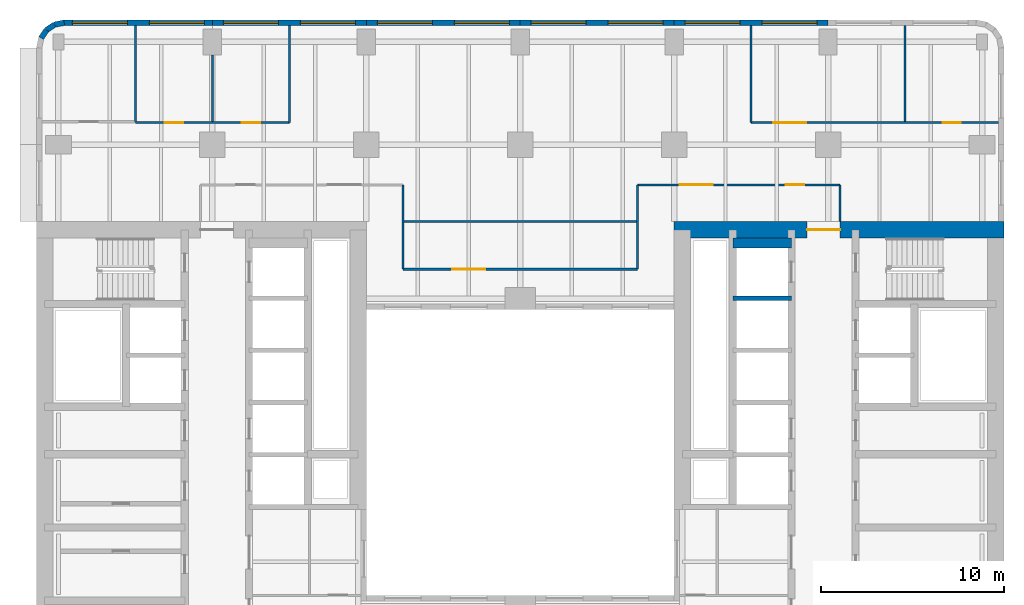
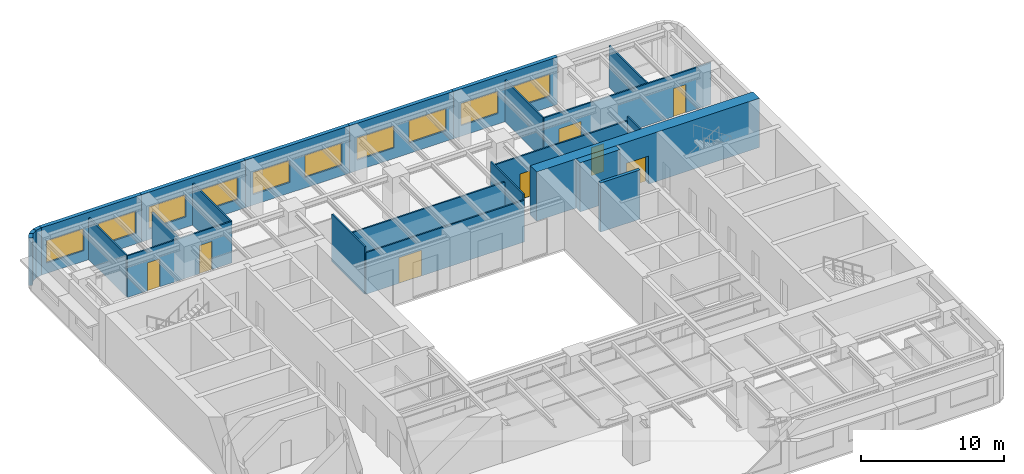
# One storey, part 7 of 11: 24 walls, 10 windows, 8 doors, 18 openings.
"""IFC4 building model written with IfcOpenShell, lengths in metres."""

from ifc_helpers import new_model, si_unit, direction, frame, frame_2d, origin, place, context, subcontext, project, spatial, rectangle, extrude, material, layer, layer_set, type_object, element, fill, save


model = new_model("IFC4")

# Units and contexts
model_context = context("Model", 3, precision=1e-05, world=origin(), true_north=direction((0.0, 1.0)))
body_context = subcontext(model_context, "Body", "Model", "MODEL_VIEW")
ifc_project = project(units=[si_unit("LENGTHUNIT", "METRE"), si_unit("AREAUNIT", "SQUARE_METRE"), si_unit("VOLUMEUNIT", "CUBIC_METRE"), si_unit("PLANEANGLEUNIT", "RADIAN"), si_unit("MASSUNIT", "GRAM", prefix="KILO")], contexts=[model_context])

# Site, building, storey
site_placement = place(None, origin())
site = spatial("IfcSite", under=ifc_project, at=site_placement, CompositionType="ELEMENT")
building_placement = place(site_placement, origin())
building = spatial("IfcBuilding", under=site, at=building_placement, Name="Claustro Exchange Tower", CompositionType="ELEMENT")
storey_placement = place(building_placement, frame((0.0, 0.0, 105.0)))
storey = spatial("IfcBuildingStorey", under=building, at=storey_placement, Name="L23", CompositionType="ELEMENT", Elevation=105.0)

# Wall, openings, doors
ifc_material_1 = material(Name="Laminated glass in aluminium frame", Category="aluminium")
ifc_layer_1 = layer(ifc_material_1, 0.1201171875)
ifc_layer_set_1 = layer_set([ifc_layer_1], Name="Laminated glass in aluminium frame")
wall_type_1 = type_object("IfcWallType", Name="P2 120 glazed partition", PredefinedType="PARTITIONING", material=ifc_layer_set_1)
wall_1_placement = place(storey_placement, frame((4.197998046875, 43.199951171875, 0.0), z_axis=(0.0, 0.0, 1.0), x_axis=(1.0, 0.0, 0.0)))
wall_1 = element("IfcWall", 1, at=wall_1_placement, inside=storey, type_object=wall_type_1, Name="Partition P2 L23", PredefinedType="PARTITIONING", context=body_context, shape_type="SweptSolid", body=[
    extrude(rectangle(XDim=8.402099609375, YDim=0.1201171875, at=frame_2d((4.201171875, 0.0))), origin(), (0.0, 0.0, 1.0), 3.550048828125),
])
opening_1_placement = place(wall_1_placement, frame((1.60205078125, 0.0, 0.0)))
opening_1 = element("IfcOpeningElement", 2, at=opening_1_placement, cuts=wall_1, Name="Opening D7", PredefinedType="OPENING", context=body_context, shape_type="SweptSolid", body=[
    extrude(rectangle(XDim=1.0, YDim=2.39990234375, at=frame_2d((0.5, 1.199951171875))), frame((0.0, 0.070068359375, 0.0), z_axis=(0.0, -1.0, 0.0), x_axis=(1.0, 0.0, 0.0)), (0.0, 0.0, 1.0), 0.14013671875),
])
opening_2_placement = place(wall_1_placement, frame((5.802001953125, 0.0, 0.0)))
opening_2 = element("IfcOpeningElement", 3, at=opening_2_placement, cuts=wall_1, Name="Opening D7", PredefinedType="OPENING", context=body_context, shape_type="SweptSolid", body=[
    extrude(rectangle(XDim=1.0, YDim=2.39990234375, at=frame_2d((0.5, 1.199951171875))), frame((0.0, 0.070068359375, 0.0), z_axis=(0.0, -1.0, 0.0), x_axis=(1.0, 0.0, 0.0)), (0.0, 0.0, 1.0), 0.14013671875),
])
ifc_material_2 = material(Name="Glass door in aluminium frame", Category="aluminium")
door_type_1 = type_object("IfcDoorType", Name="D7 1000 x 2400 glazed door", OperationType="SINGLE_SWING_LEFT", PredefinedType="DOOR", material=ifc_material_2)
door_1_placement = place(opening_1_placement, origin())
door_1 = element("IfcDoor", 4, at=door_1_placement, inside=storey, type_object=door_type_1, Name="Door D7 L23", OperationType="SINGLE_SWING_RIGHT", OverallHeight=2.39990234375, OverallWidth=1.0, PredefinedType="DOOR", context=body_context, shape_type="SweptSolid", body=[
    extrude(rectangle(XDim=1.0, YDim=2.39990234375, at=frame_2d((0.5, 1.199951171875))), frame((0.0, 0.02490234375, 0.0), z_axis=(0.0, -1.0, 0.0), x_axis=(1.0, 0.0, 0.0)), (0.0, 0.0, 1.0), 0.050048828125),
])
fill(opening_1, door_1)
door_2_placement = place(opening_2_placement, origin())
door_2 = element("IfcDoor", 5, at=door_2_placement, inside=storey, type_object=door_type_1, Name="Door D7 L23", OperationType="SINGLE_SWING_LEFT", OverallHeight=2.39990234375, OverallWidth=1.0, PredefinedType="DOOR", context=body_context, shape_type="SweptSolid", body=[
    extrude(rectangle(XDim=1.0, YDim=2.39990234375, at=frame_2d((0.5, 1.199951171875))), frame((0.0, 0.02490234375, 0.0), z_axis=(0.0, -1.0, 0.0), x_axis=(1.0, 0.0, 0.0)), (0.0, 0.0, 1.0), 0.050048828125),
])
fill(opening_2, door_2)

# Walls
wall_2_placement = place(storey_placement, frame((4.199951171875, 43.258056640625, 0.0), z_axis=(0.0, 0.0, 1.0), x_axis=(0.0, 1.0, 0.0)))
element("IfcWall", 6, at=wall_2_placement, inside=storey, type_object=wall_type_1, Name="Partition P2 L23", PredefinedType="PARTITIONING", context=body_context, shape_type="SweptSolid", body=[
    extrude(rectangle(XDim=5.243896484375, YDim=0.1201171875, at=frame_2d((2.6220703125, 0.0))), origin(), (0.0, 0.0, 1.0), 3.56005859375),
])
wall_3_placement = place(storey_placement, frame((8.39990234375, 43.258056640625, 0.0), z_axis=(0.0, 0.0, 1.0), x_axis=(0.0, 1.0, 0.0)))
element("IfcWall", 7, at=wall_3_placement, inside=storey, type_object=wall_type_1, Name="Partition P2 L23", PredefinedType="PARTITIONING", context=body_context, shape_type="SweptSolid", body=[
    extrude(rectangle(XDim=3.642822265625, YDim=0.1201171875, at=frame_2d((1.8212890625, 0.0))), origin(), (0.0, 0.0, 1.0), 3.550048828125),
])
wall_4_placement = place(storey_placement, frame((12.60009765625, 43.199951171875, 0.0), z_axis=(0.0, 0.0, 1.0), x_axis=(0.0, 1.0, 0.0)))
element("IfcWall", 8, at=wall_4_placement, inside=storey, type_object=wall_type_1, Name="Partition P2 L23", PredefinedType="PARTITIONING", context=body_context, shape_type="SweptSolid", body=[
    extrude(rectangle(XDim=5.302001953125, YDim=0.1201171875, at=frame_2d((2.65087890625, 0.0))), origin(), (0.0, 0.0, 1.0), 3.56005859375),
])

# Wall, openings, doors
wall_5_placement = place(storey_placement, frame((37.800048828125, 43.199951171875, 0.0), z_axis=(0.0, 0.0, 1.0), x_axis=(1.0, 0.0, 0.0)))
wall_5 = element("IfcWall", 9, at=wall_5_placement, inside=storey, type_object=wall_type_1, Name="Partition P2 L23", PredefinedType="PARTITIONING", context=body_context, shape_type="SweptSolid", body=[
    extrude(rectangle(XDim=13.501953125, YDim=0.1201171875, at=frame_2d((6.7509765625, 0.0))), origin(), (0.0, 0.0, 1.0), 3.550048828125),
])
opening_3_placement = place(wall_5_placement, frame((1.199951171875, 0.0, 0.0)))
opening_3 = element("IfcOpeningElement", 10, at=opening_3_placement, cuts=wall_5, Name="Opening D2", PredefinedType="OPENING", context=body_context, shape_type="SweptSolid", body=[
    extrude(rectangle(XDim=1.800048828125, YDim=2.199951171875, at=frame_2d((0.89990234375, 1.10009765625))), frame((0.0, 0.070068359375, 0.0), z_axis=(0.0, -1.0, 0.0), x_axis=(1.0, 0.0, 0.0)), (0.0, 0.0, 1.0), 0.14013671875),
])
opening_4_placement = place(wall_5_placement, frame((10.449951171875, 0.0, 0.0)))
opening_4 = element("IfcOpeningElement", 11, at=opening_4_placement, cuts=wall_5, Name="Opening D7", PredefinedType="OPENING", context=body_context, shape_type="SweptSolid", body=[
    extrude(rectangle(XDim=1.0, YDim=2.39990234375, at=frame_2d((0.5, 1.199951171875))), frame((0.0, 0.070068359375, 0.0), z_axis=(0.0, -1.0, 0.0), x_axis=(1.0, 0.0, 0.0)), (0.0, 0.0, 1.0), 0.14013671875),
])
ifc_material_3 = material(Name="Timber door, oak veneer", Category="wood")
door_type_2 = type_object("IfcDoorType", Name="D2 1800 x 2200 double door", OperationType="DOUBLE_DOOR_SINGLE_SWING", PredefinedType="DOOR", material=ifc_material_3)
door_3_placement = place(opening_3_placement, origin())
door_3 = element("IfcDoor", 12, at=door_3_placement, inside=storey, type_object=door_type_2, Name="Double door D2 L23", OperationType="DOUBLE_DOOR_SINGLE_SWING", OverallHeight=2.199951171875, OverallWidth=1.800048828125, PredefinedType="DOOR", context=body_context, shape_type="SweptSolid", body=[
    extrude(rectangle(XDim=1.800048828125, YDim=2.199951171875, at=frame_2d((0.89990234375, 1.10009765625))), frame((0.0, 0.02490234375, 0.0), z_axis=(0.0, -1.0, 0.0), x_axis=(1.0, 0.0, 0.0)), (0.0, 0.0, 1.0), 0.050048828125),
])
fill(opening_3, door_3)
door_4_placement = place(opening_4_placement, origin())
door_4 = element("IfcDoor", 13, at=door_4_placement, inside=storey, type_object=door_type_1, Name="Door D7 L23", OperationType="SINGLE_SWING_LEFT", OverallHeight=2.39990234375, OverallWidth=1.0, PredefinedType="DOOR", context=body_context, shape_type="SweptSolid", body=[
    extrude(rectangle(XDim=1.0, YDim=2.39990234375, at=frame_2d((0.5, 1.199951171875))), frame((0.0, 0.02490234375, 0.0), z_axis=(0.0, -1.0, 0.0), x_axis=(1.0, 0.0, 0.0)), (0.0, 0.0, 1.0), 0.050048828125),
])
fill(opening_4, door_4)

# Walls
wall_6_placement = place(storey_placement, frame((37.800048828125, 43.199951171875, 0.0), z_axis=(0.0, 0.0, 1.0), x_axis=(0.0, 1.0, 0.0)))
element("IfcWall", 14, at=wall_6_placement, inside=storey, type_object=wall_type_1, Name="Partition P2 L23", PredefinedType="PARTITIONING", context=body_context, shape_type="SweptSolid", body=[
    extrude(rectangle(XDim=5.302001953125, YDim=0.1201171875, at=frame_2d((2.65087890625, 0.0))), origin(), (0.0, 0.0, 1.0), 3.56005859375),
])
wall_7_placement = place(storey_placement, frame((46.199951171875, 43.258056640625, 0.0), z_axis=(0.0, 0.0, 1.0), x_axis=(0.0, 1.0, 0.0)))
element("IfcWall", 15, at=wall_7_placement, inside=storey, type_object=wall_type_1, Name="Partition P2 L23", PredefinedType="PARTITIONING", context=body_context, shape_type="SweptSolid", body=[
    extrude(rectangle(XDim=5.243896484375, YDim=0.1201171875, at=frame_2d((2.6220703125, 0.0))), origin(), (0.0, 0.0, 1.0), 3.56005859375),
])

# Wall, openings, doors
wall_8_placement = place(storey_placement, frame((31.60009765625, 39.800048828125, 0.0), z_axis=(0.0, 0.0, 1.0), x_axis=(1.0, 0.0, 0.0)))
wall_8 = element("IfcWall", 16, at=wall_8_placement, inside=storey, type_object=wall_type_1, Name="Partition P2 L23", PredefinedType="PARTITIONING", context=body_context, shape_type="SweptSolid", body=[
    extrude(rectangle(XDim=11.0498046875, YDim=0.1201171875, at=frame_2d((5.52490234375, 0.0))), origin(), (0.0, 0.0, 1.0), 3.68994140625),
])
opening_5_placement = place(wall_8_placement, frame((2.300048828125, 0.0, 0.0)))
opening_5 = element("IfcOpeningElement", 17, at=opening_5_placement, cuts=wall_8, Name="Opening D2", PredefinedType="OPENING", context=body_context, shape_type="SweptSolid", body=[
    extrude(rectangle(XDim=1.800048828125, YDim=2.199951171875, at=frame_2d((0.89990234375, 1.10009765625))), frame((0.0, 0.070068359375, 0.0), z_axis=(0.0, -1.0, 0.0), x_axis=(1.0, 0.0, 0.0)), (0.0, 0.0, 1.0), 0.14013671875),
])
opening_6_placement = place(wall_8_placement, frame((8.10009765625, 0.0, 0.0)))
opening_6 = element("IfcOpeningElement", 18, at=opening_6_placement, cuts=wall_8, Name="Opening D7", PredefinedType="OPENING", context=body_context, shape_type="SweptSolid", body=[
    extrude(rectangle(XDim=1.0, YDim=2.39990234375, at=frame_2d((0.5, 1.199951171875))), frame((0.0, 0.070068359375, 0.0), z_axis=(0.0, -1.0, 0.0), x_axis=(1.0, 0.0, 0.0)), (0.0, 0.0, 1.0), 0.14013671875),
])
door_5_placement = place(opening_5_placement, origin())
door_5 = element("IfcDoor", 19, at=door_5_placement, inside=storey, type_object=door_type_2, Name="Double door D2 L23", OperationType="DOUBLE_DOOR_SINGLE_SWING", OverallHeight=2.199951171875, OverallWidth=1.800048828125, PredefinedType="DOOR", context=body_context, shape_type="SweptSolid", body=[
    extrude(rectangle(XDim=1.800048828125, YDim=2.199951171875, at=frame_2d((0.89990234375, 1.10009765625))), frame((0.0, 0.02490234375, 0.0), z_axis=(0.0, -1.0, 0.0), x_axis=(1.0, 0.0, 0.0)), (0.0, 0.0, 1.0), 0.050048828125),
])
fill(opening_5, door_5)
door_6_placement = place(opening_6_placement, origin())
door_6 = element("IfcDoor", 20, at=door_6_placement, inside=storey, type_object=door_type_1, Name="Door D7 L23", OperationType="SINGLE_SWING_RIGHT", OverallHeight=2.39990234375, OverallWidth=1.0, PredefinedType="DOOR", context=body_context, shape_type="SweptSolid", body=[
    extrude(rectangle(XDim=1.0, YDim=2.39990234375, at=frame_2d((0.5, 1.199951171875))), frame((0.0, 0.02490234375, 0.0), z_axis=(0.0, -1.0, 0.0), x_axis=(1.0, 0.0, 0.0)), (0.0, 0.0, 1.0), 0.050048828125),
])
fill(opening_6, door_6)

# Walls
wall_9_placement = place(storey_placement, frame((42.64990234375, 37.800048828125, 0.0), z_axis=(0.0, 0.0, 1.0), x_axis=(0.0, 1.0, 0.0)))
element("IfcWall", 21, at=wall_9_placement, inside=storey, type_object=wall_type_1, Name="Partition P2 L23", PredefinedType="PARTITIONING", context=body_context, shape_type="SweptSolid", body=[
    extrude(rectangle(XDim=2.0, YDim=0.1201171875, at=frame_2d((1.0, 0.0))), origin(), (0.0, 0.0, 1.0), 4.050048828125),
])
for number, where, z_axis, x_axis, name in (
    (22, (18.800048828125, 35.199951171875, 0.0), (0.0, 0.0, 1.0), (0.0, 1.0, 0.0), "Partition P2 L23"),
    (23, (31.60009765625, 35.199951171875, 0.0), (0.0, 0.0, 1.0), (0.0, 1.0, 0.0), "Partition P2 L23"),
):
    element("IfcWall", number, at=place(storey_placement, frame(where, z_axis=z_axis, x_axis=x_axis)), inside=storey, type_object=wall_type_1, Name=name, PredefinedType="PARTITIONING", context=body_context, shape_type="SweptSolid", body=[
        extrude(rectangle(XDim=4.60009765625, YDim=0.1201171875, at=frame_2d((2.300048828125, 0.0))), origin(), (0.0, 0.0, 1.0), 4.050048828125),
    ])

# Wall, opening, door
wall_10_placement = place(storey_placement, frame((18.800048828125, 35.199951171875, 0.0), z_axis=(0.0, 0.0, 1.0), x_axis=(1.0, 0.0, 0.0)))
wall_10 = element("IfcWall", 24, at=wall_10_placement, inside=storey, type_object=wall_type_1, Name="Partition P2 L23", PredefinedType="PARTITIONING", context=body_context, shape_type="SweptSolid", body=[
    extrude(rectangle(XDim=12.800048828125, YDim=0.1201171875, at=frame_2d((6.39990234375, 0.0))), origin(), (0.0, 0.0, 1.0), 3.550048828125),
])
opening_7_placement = place(wall_10_placement, frame((2.699951171875, 0.0, 0.0)))
opening_7 = element("IfcOpeningElement", 25, at=opening_7_placement, cuts=wall_10, Name="Opening D2", PredefinedType="OPENING", context=body_context, shape_type="SweptSolid", body=[
    extrude(rectangle(XDim=1.800048828125, YDim=2.199951171875, at=frame_2d((0.89990234375, 1.10009765625))), frame((0.0, 0.070068359375, 0.0), z_axis=(0.0, -1.0, 0.0), x_axis=(1.0, 0.0, 0.0)), (0.0, 0.0, 1.0), 0.14013671875),
])
door_7_placement = place(opening_7_placement, origin())
door_7 = element("IfcDoor", 26, at=door_7_placement, inside=storey, type_object=door_type_2, Name="Double door D2 L23", OperationType="DOUBLE_DOOR_SINGLE_SWING", OverallHeight=2.199951171875, OverallWidth=1.800048828125, PredefinedType="DOOR", context=body_context, shape_type="SweptSolid", body=[
    extrude(rectangle(XDim=1.800048828125, YDim=2.199951171875, at=frame_2d((0.89990234375, 1.10009765625))), frame((0.0, 0.02490234375, 0.0), z_axis=(0.0, -1.0, 0.0), x_axis=(1.0, 0.0, 0.0)), (0.0, 0.0, 1.0), 0.050048828125),
])
fill(opening_7, door_7)

# Walls
wall_11_placement = place(storey_placement, frame((18.85791015625, 37.800048828125, 0.0), z_axis=(0.0, 0.0, 1.0), x_axis=(1.0, 0.0, 0.0)))
element("IfcWall", 27, at=wall_11_placement, inside=storey, type_object=wall_type_1, Name="Partition P2 L23", PredefinedType="PARTITIONING", context=body_context, shape_type="SweptSolid", body=[
    extrude(rectangle(XDim=12.68408203125, YDim=0.1201171875, at=frame_2d((6.342041015625, 0.0))), origin(), (0.0, 0.0, 1.0), 3.550048828125),
])
ifc_material_4 = material(Name="Concrete HA-40 (C40/50), precast, white cement, acid-etched", Category="concrete")
ifc_layer_2 = layer(ifc_material_4, 0.300048828125)
ifc_layer_set_2 = layer_set([ifc_layer_2], Name="Concrete HA-40 (C40/50), precast, white cement, acid-etched")
wall_type_2 = type_object("IfcWallType", Name="PC1 300 precast concrete pier panel", PredefinedType="SOLIDWALL", material=ifc_layer_set_2)
wall_12_placement = place(storey_placement, frame((-0.944580078125, 47.8154296875, 0.0), z_axis=(0.0, 0.0, 1.0), x_axis=(0.55534295404, 0.831621430339, 0.0)))
element("IfcWall", 28, at=wall_12_placement, inside=storey, type_object=wall_type_2, Name="Precast pier panel PC1 L23", PredefinedType="SOLIDWALL", context=body_context, shape_type="SweptSolid", body=[
    extrude(rectangle(XDim=0.52587890625, YDim=0.300048828125, at=frame_2d((0.262939453125, 0.0))), origin(), (0.0, 0.0, 1.0), 4.050048828125),
])
wall_13_placement = place(storey_placement, frame((-0.652587890625, 48.252685546875, 0.0), z_axis=(0.0, 0.0, 1.0), x_axis=(0.831692711774, 0.555236195849, 0.0)))
element("IfcWall", 29, at=wall_13_placement, inside=storey, type_object=wall_type_2, Name="Precast pier panel PC1 L23", PredefinedType="SOLIDWALL", context=body_context, shape_type="SweptSolid", body=[
    extrude(rectangle(XDim=0.525390625, YDim=0.300048828125, at=frame_2d((0.2626953125, 0.0))), origin(), (0.0, 0.0, 1.0), 4.050048828125),
])
wall_14_placement = place(storey_placement, frame((-0.215576171875, 48.54443359375, 0.0), z_axis=(0.0, 0.0, 1.0), x_axis=(0.980788534345, 0.195073962632, 0.0)))
element("IfcWall", 30, at=wall_14_placement, inside=storey, type_object=wall_type_2, Name="Precast pier panel PC1 L23", PredefinedType="SOLIDWALL", context=body_context, shape_type="SweptSolid", body=[
    extrude(rectangle(XDim=0.540771484375, YDim=0.300048828125, at=frame_2d((0.2705078125, 0.0))), origin(), (0.0, 0.0, 1.0), 4.050048828125),
])

# Wall, openings, windows
wall_15_placement = place(storey_placement, frame((0.314697265625, 48.64990234375, 0.0), z_axis=(0.0, 0.0, 1.0), x_axis=(1.0, 0.0, 0.0)))
wall_15 = element("IfcWall", 31, at=wall_15_placement, inside=storey, type_object=wall_type_2, Name="Precast pier panel PC1 L23", PredefinedType="SOLIDWALL", context=body_context, shape_type="SweptSolid", body=[
    extrude(rectangle(XDim=8.085205078125, YDim=0.300048828125, at=frame_2d((4.04248046875, 0.0))), origin(), (0.0, 0.0, 1.0), 4.050048828125),
])
opening_8_placement = place(wall_15_placement, frame((0.442626953125, 0.0, 0.89990234375)))
opening_8 = element("IfcOpeningElement", 32, at=opening_8_placement, cuts=wall_15, Name="Opening W1", PredefinedType="OPENING", context=body_context, shape_type="SweptSolid", body=[
    extrude(rectangle(XDim=3.0, YDim=1.89990234375, at=frame_2d((1.5, 0.949951171875))), frame((0.0, 0.159912109375, 0.0), z_axis=(0.0, -1.0, 0.0), x_axis=(1.0, 0.0, 0.0)), (0.0, 0.0, 1.0), 0.320068359375),
])
opening_9_placement = place(wall_15_placement, frame((4.642578125, 0.0, 0.89990234375)))
opening_9 = element("IfcOpeningElement", 33, at=opening_9_placement, cuts=wall_15, Name="Opening W1", PredefinedType="OPENING", context=body_context, shape_type="SweptSolid", body=[
    extrude(rectangle(XDim=3.0, YDim=1.89990234375, at=frame_2d((1.5, 0.949951171875))), frame((0.0, 0.159912109375, 0.0), z_axis=(0.0, -1.0, 0.0), x_axis=(1.0, 0.0, 0.0)), (0.0, 0.0, 1.0), 0.320068359375),
])
ifc_material_5 = material(Name="Aluminium frame, clear double glazing", Category="aluminium")
window_type = type_object("IfcWindowType", Name="W1 3000 x 1900 window", PartitioningType="SINGLE_PANEL", PredefinedType="WINDOW", material=ifc_material_5)
window_1_placement = place(opening_8_placement, origin())
window_1 = element("IfcWindow", 34, at=window_1_placement, inside=storey, type_object=window_type, Name="Window W1 L23", OverallHeight=1.89990234375, OverallWidth=3.0, PartitioningType="SINGLE_PANEL", PredefinedType="WINDOW", context=body_context, shape_type="SweptSolid", body=[
    extrude(rectangle(XDim=3.0, YDim=1.89990234375, at=frame_2d((1.5, 0.949951171875))), frame((0.0, 0.030029296875, 0.0), z_axis=(0.0, -1.0, 0.0), x_axis=(1.0, 0.0, 0.0)), (0.0, 0.0, 1.0), 0.06005859375),
])
fill(opening_8, window_1)
window_2_placement = place(opening_9_placement, origin())
window_2 = element("IfcWindow", 35, at=window_2_placement, inside=storey, type_object=window_type, Name="Window W1 L23", OverallHeight=1.89990234375, OverallWidth=3.0, PartitioningType="SINGLE_PANEL", PredefinedType="WINDOW", context=body_context, shape_type="SweptSolid", body=[
    extrude(rectangle(XDim=3.0, YDim=1.89990234375, at=frame_2d((1.5, 0.949951171875))), frame((0.0, 0.030029296875, 0.0), z_axis=(0.0, -1.0, 0.0), x_axis=(1.0, 0.0, 0.0)), (0.0, 0.0, 1.0), 0.06005859375),
])
fill(opening_9, window_2)

wall_16_placement = place(storey_placement, frame((8.39990234375, 48.64990234375, 0.0), z_axis=(0.0, 0.0, 1.0), x_axis=(1.0, 0.0, 0.0)))
wall_16 = element("IfcWall", 36, at=wall_16_placement, inside=storey, type_object=wall_type_2, Name="Precast pier panel PC1 L23", PredefinedType="SOLIDWALL", context=body_context, shape_type="SweptSolid", body=[
    extrude(rectangle(XDim=8.400146484375, YDim=0.300048828125, at=frame_2d((4.2001953125, 0.0))), origin(), (0.0, 0.0, 1.0), 4.050048828125),
])
opening_10_placement = place(wall_16_placement, frame((0.60009765625, 0.0, 0.89990234375)))
opening_10 = element("IfcOpeningElement", 37, at=opening_10_placement, cuts=wall_16, Name="Opening W1", PredefinedType="OPENING", context=body_context, shape_type="SweptSolid", body=[
    extrude(rectangle(XDim=3.0, YDim=1.89990234375, at=frame_2d((1.5, 0.949951171875))), frame((0.0, 0.159912109375, 0.0), z_axis=(0.0, -1.0, 0.0), x_axis=(1.0, 0.0, 0.0)), (0.0, 0.0, 1.0), 0.320068359375),
])
opening_11_placement = place(wall_16_placement, frame((4.800048828125, 0.0, 0.89990234375)))
opening_11 = element("IfcOpeningElement", 38, at=opening_11_placement, cuts=wall_16, Name="Opening W1", PredefinedType="OPENING", context=body_context, shape_type="SweptSolid", body=[
    extrude(rectangle(XDim=3.0, YDim=1.89990234375, at=frame_2d((1.5, 0.949951171875))), frame((0.0, 0.159912109375, 0.0), z_axis=(0.0, -1.0, 0.0), x_axis=(1.0, 0.0, 0.0)), (0.0, 0.0, 1.0), 0.320068359375),
])
window_3_placement = place(opening_10_placement, origin())
window_3 = element("IfcWindow", 39, at=window_3_placement, inside=storey, type_object=window_type, Name="Window W1 L23", OverallHeight=1.89990234375, OverallWidth=3.0, PartitioningType="SINGLE_PANEL", PredefinedType="WINDOW", context=body_context, shape_type="SweptSolid", body=[
    extrude(rectangle(XDim=3.0, YDim=1.89990234375, at=frame_2d((1.5, 0.949951171875))), frame((0.0, 0.030029296875, 0.0), z_axis=(0.0, -1.0, 0.0), x_axis=(1.0, 0.0, 0.0)), (0.0, 0.0, 1.0), 0.06005859375),
])
fill(opening_10, window_3)
window_4_placement = place(opening_11_placement, origin())
window_4 = element("IfcWindow", 40, at=window_4_placement, inside=storey, type_object=window_type, Name="Window W1 L23", OverallHeight=1.89990234375, OverallWidth=3.0, PartitioningType="SINGLE_PANEL", PredefinedType="WINDOW", context=body_context, shape_type="SweptSolid", body=[
    extrude(rectangle(XDim=3.0, YDim=1.89990234375, at=frame_2d((1.5, 0.949951171875))), frame((0.0, 0.030029296875, 0.0), z_axis=(0.0, -1.0, 0.0), x_axis=(1.0, 0.0, 0.0)), (0.0, 0.0, 1.0), 0.06005859375),
])
fill(opening_11, window_4)

wall_17_placement = place(storey_placement, frame((16.800048828125, 48.64990234375, 0.0), z_axis=(0.0, 0.0, 1.0), x_axis=(1.0, 0.0, 0.0)))
wall_17 = element("IfcWall", 41, at=wall_17_placement, inside=storey, type_object=wall_type_2, Name="Precast pier panel PC1 L23", PredefinedType="SOLIDWALL", context=body_context, shape_type="SweptSolid", body=[
    extrude(rectangle(XDim=8.39990234375, YDim=0.300048828125, at=frame_2d((4.199951171875, 0.0))), origin(), (0.0, 0.0, 1.0), 4.050048828125),
])
opening_12_placement = place(wall_17_placement, frame((0.60009765625, 0.0, 0.89990234375)))
opening_12 = element("IfcOpeningElement", 42, at=opening_12_placement, cuts=wall_17, Name="Opening W1", PredefinedType="OPENING", context=body_context, shape_type="SweptSolid", body=[
    extrude(rectangle(XDim=3.0, YDim=1.89990234375, at=frame_2d((1.5, 0.949951171875))), frame((0.0, 0.159912109375, 0.0), z_axis=(0.0, -1.0, 0.0), x_axis=(1.0, 0.0, 0.0)), (0.0, 0.0, 1.0), 0.320068359375),
])
opening_13_placement = place(wall_17_placement, frame((4.800048828125, 0.0, 0.89990234375)))
opening_13 = element("IfcOpeningElement", 43, at=opening_13_placement, cuts=wall_17, Name="Opening W1", PredefinedType="OPENING", context=body_context, shape_type="SweptSolid", body=[
    extrude(rectangle(XDim=3.0, YDim=1.89990234375, at=frame_2d((1.5, 0.949951171875))), frame((0.0, 0.159912109375, 0.0), z_axis=(0.0, -1.0, 0.0), x_axis=(1.0, 0.0, 0.0)), (0.0, 0.0, 1.0), 0.320068359375),
])
window_5_placement = place(opening_12_placement, origin())
window_5 = element("IfcWindow", 44, at=window_5_placement, inside=storey, type_object=window_type, Name="Window W1 L23", OverallHeight=1.89990234375, OverallWidth=3.0, PartitioningType="SINGLE_PANEL", PredefinedType="WINDOW", context=body_context, shape_type="SweptSolid", body=[
    extrude(rectangle(XDim=3.0, YDim=1.89990234375, at=frame_2d((1.5, 0.949951171875))), frame((0.0, 0.030029296875, 0.0), z_axis=(0.0, -1.0, 0.0), x_axis=(1.0, 0.0, 0.0)), (0.0, 0.0, 1.0), 0.06005859375),
])
fill(opening_12, window_5)
window_6_placement = place(opening_13_placement, origin())
window_6 = element("IfcWindow", 45, at=window_6_placement, inside=storey, type_object=window_type, Name="Window W1 L23", OverallHeight=1.89990234375, OverallWidth=3.0, PartitioningType="SINGLE_PANEL", PredefinedType="WINDOW", context=body_context, shape_type="SweptSolid", body=[
    extrude(rectangle(XDim=3.0, YDim=1.89990234375, at=frame_2d((1.5, 0.949951171875))), frame((0.0, 0.030029296875, 0.0), z_axis=(0.0, -1.0, 0.0), x_axis=(1.0, 0.0, 0.0)), (0.0, 0.0, 1.0), 0.06005859375),
])
fill(opening_13, window_6)

wall_18_placement = place(storey_placement, frame((25.199951171875, 48.64990234375, 0.0), z_axis=(0.0, 0.0, 1.0), x_axis=(1.0, 0.0, 0.0)))
wall_18 = element("IfcWall", 46, at=wall_18_placement, inside=storey, type_object=wall_type_2, Name="Precast pier panel PC1 L23", PredefinedType="SOLIDWALL", context=body_context, shape_type="SweptSolid", body=[
    extrude(rectangle(XDim=8.400146484375, YDim=0.300048828125, at=frame_2d((4.2001953125, 0.0))), origin(), (0.0, 0.0, 1.0), 4.050048828125),
])
opening_14_placement = place(wall_18_placement, frame((0.60009765625, 0.0, 0.89990234375)))
opening_14 = element("IfcOpeningElement", 47, at=opening_14_placement, cuts=wall_18, Name="Opening W1", PredefinedType="OPENING", context=body_context, shape_type="SweptSolid", body=[
    extrude(rectangle(XDim=3.0, YDim=1.89990234375, at=frame_2d((1.5, 0.949951171875))), frame((0.0, 0.159912109375, 0.0), z_axis=(0.0, -1.0, 0.0), x_axis=(1.0, 0.0, 0.0)), (0.0, 0.0, 1.0), 0.320068359375),
])
opening_15_placement = place(wall_18_placement, frame((4.800048828125, 0.0, 0.89990234375)))
opening_15 = element("IfcOpeningElement", 48, at=opening_15_placement, cuts=wall_18, Name="Opening W1", PredefinedType="OPENING", context=body_context, shape_type="SweptSolid", body=[
    extrude(rectangle(XDim=3.0, YDim=1.89990234375, at=frame_2d((1.5, 0.949951171875))), frame((0.0, 0.159912109375, 0.0), z_axis=(0.0, -1.0, 0.0), x_axis=(1.0, 0.0, 0.0)), (0.0, 0.0, 1.0), 0.320068359375),
])
window_7_placement = place(opening_14_placement, origin())
window_7 = element("IfcWindow", 49, at=window_7_placement, inside=storey, type_object=window_type, Name="Window W1 L23", OverallHeight=1.89990234375, OverallWidth=3.0, PartitioningType="SINGLE_PANEL", PredefinedType="WINDOW", context=body_context, shape_type="SweptSolid", body=[
    extrude(rectangle(XDim=3.0, YDim=1.89990234375, at=frame_2d((1.5, 0.949951171875))), frame((0.0, 0.030029296875, 0.0), z_axis=(0.0, -1.0, 0.0), x_axis=(1.0, 0.0, 0.0)), (0.0, 0.0, 1.0), 0.06005859375),
])
fill(opening_14, window_7)
window_8_placement = place(opening_15_placement, origin())
window_8 = element("IfcWindow", 50, at=window_8_placement, inside=storey, type_object=window_type, Name="Window W1 L23", OverallHeight=1.89990234375, OverallWidth=3.0, PartitioningType="SINGLE_PANEL", PredefinedType="WINDOW", context=body_context, shape_type="SweptSolid", body=[
    extrude(rectangle(XDim=3.0, YDim=1.89990234375, at=frame_2d((1.5, 0.949951171875))), frame((0.0, 0.030029296875, 0.0), z_axis=(0.0, -1.0, 0.0), x_axis=(1.0, 0.0, 0.0)), (0.0, 0.0, 1.0), 0.06005859375),
])
fill(opening_15, window_8)

wall_19_placement = place(storey_placement, frame((33.60009765625, 48.64990234375, 0.0), z_axis=(0.0, 0.0, 1.0), x_axis=(1.0, 0.0, 0.0)))
wall_19 = element("IfcWall", 51, at=wall_19_placement, inside=storey, type_object=wall_type_2, Name="Precast pier panel PC1 L23", PredefinedType="SOLIDWALL", context=body_context, shape_type="SweptSolid", body=[
    extrude(rectangle(XDim=8.39990234375, YDim=0.300048828125, at=frame_2d((4.199951171875, 0.0))), origin(), (0.0, 0.0, 1.0), 4.050048828125),
])
opening_16_placement = place(wall_19_placement, frame((0.60009765625, 0.0, 0.89990234375)))
opening_16 = element("IfcOpeningElement", 52, at=opening_16_placement, cuts=wall_19, Name="Opening W1", PredefinedType="OPENING", context=body_context, shape_type="SweptSolid", body=[
    extrude(rectangle(XDim=3.0, YDim=1.89990234375, at=frame_2d((1.5, 0.949951171875))), frame((0.0, 0.159912109375, 0.0), z_axis=(0.0, -1.0, 0.0), x_axis=(1.0, 0.0, 0.0)), (0.0, 0.0, 1.0), 0.320068359375),
])
opening_17_placement = place(wall_19_placement, frame((4.800048828125, 0.0, 0.89990234375)))
opening_17 = element("IfcOpeningElement", 53, at=opening_17_placement, cuts=wall_19, Name="Opening W1", PredefinedType="OPENING", context=body_context, shape_type="SweptSolid", body=[
    extrude(rectangle(XDim=3.0, YDim=1.89990234375, at=frame_2d((1.5, 0.949951171875))), frame((0.0, 0.159912109375, 0.0), z_axis=(0.0, -1.0, 0.0), x_axis=(1.0, 0.0, 0.0)), (0.0, 0.0, 1.0), 0.320068359375),
])
window_9_placement = place(opening_16_placement, origin())
window_9 = element("IfcWindow", 54, at=window_9_placement, inside=storey, type_object=window_type, Name="Window W1 L23", OverallHeight=1.89990234375, OverallWidth=3.0, PartitioningType="SINGLE_PANEL", PredefinedType="WINDOW", context=body_context, shape_type="SweptSolid", body=[
    extrude(rectangle(XDim=3.0, YDim=1.89990234375, at=frame_2d((1.5, 0.949951171875))), frame((0.0, 0.030029296875, 0.0), z_axis=(0.0, -1.0, 0.0), x_axis=(1.0, 0.0, 0.0)), (0.0, 0.0, 1.0), 0.06005859375),
])
fill(opening_16, window_9)
window_10_placement = place(opening_17_placement, origin())
window_10 = element("IfcWindow", 55, at=window_10_placement, inside=storey, type_object=window_type, Name="Window W1 L23", OverallHeight=1.89990234375, OverallWidth=3.0, PartitioningType="SINGLE_PANEL", PredefinedType="WINDOW", context=body_context, shape_type="SweptSolid", body=[
    extrude(rectangle(XDim=3.0, YDim=1.89990234375, at=frame_2d((1.5, 0.949951171875))), frame((0.0, 0.030029296875, 0.0), z_axis=(0.0, -1.0, 0.0), x_axis=(1.0, 0.0, 0.0)), (0.0, 0.0, 1.0), 0.06005859375),
])
fill(opening_17, window_10)

# Wall, opening, door
ifc_material_6 = material(Name="Concrete HA-70 (C70/85)", Category="concrete")
ifc_layer_3 = layer(ifc_material_6, 0.89990234375)
ifc_layer_set_3 = layer_set([ifc_layer_3], Name="Concrete HA-70 (C70/85)")
wall_type_3 = type_object("IfcWallType", Name="SW1 900 core shear wall", PredefinedType="SHEAR", material=ifc_layer_set_3)
wall_20_placement = place(storey_placement, frame((33.60009765625, 37.35009765625, 0.0), z_axis=(0.0, 0.0, 1.0), x_axis=(1.0, 0.0, 0.0)))
wall_20 = element("IfcWall", 56, at=wall_20_placement, inside=storey, type_object=wall_type_3, Name="Core wall SW1 E core N face L23", PredefinedType="SHEAR", context=body_context, shape_type="SweptSolid", body=[
    extrude(rectangle(XDim=18.0, YDim=0.89990234375, at=frame_2d((9.0, 0.0))), origin(), (0.0, 0.0, 1.0), 4.199951171875),
])
opening_18_placement = place(wall_20_placement, frame((7.25, 0.0, 0.0)))
opening_18 = element("IfcOpeningElement", 57, at=opening_18_placement, cuts=wall_20, Name="Opening D3", PredefinedType="OPENING", context=body_context, shape_type="SweptSolid", body=[
    extrude(rectangle(XDim=1.800048828125, YDim=2.39990234375, at=frame_2d((0.89990234375, 1.199951171875))), frame((0.0, 0.4599609375, 0.0), z_axis=(0.0, -1.0, 0.0), x_axis=(1.0, 0.0, 0.0)), (0.0, 0.0, 1.0), 0.919921875),
])
ifc_material_7 = material(Name="Steel fire door, painted", Category="steel")
door_type_3 = type_object("IfcDoorType", Name="D3 1800 x 2400 fire-rated lobby double door", OperationType="DOUBLE_DOOR_SINGLE_SWING", PredefinedType="DOOR", material=ifc_material_7)
door_8_placement = place(opening_18_placement, frame((1.800048828125, 0.0, 0.0), z_axis=(0.0, 0.0, 1.0), x_axis=(-1.0, 0.0, 0.0)))
door_8 = element("IfcDoor", 58, at=door_8_placement, inside=storey, type_object=door_type_3, Name="Lift lobby door D3 L23", OperationType="DOUBLE_DOOR_SINGLE_SWING", OverallHeight=2.39990234375, OverallWidth=1.800048828125, PredefinedType="DOOR", context=body_context, shape_type="SweptSolid", body=[
    extrude(rectangle(XDim=1.800048828125, YDim=2.39990234375, at=frame_2d((0.89990234375, 1.199951171875))), frame((0.0, 0.02490234375, 0.0), z_axis=(0.0, -1.0, 0.0), x_axis=(1.0, 0.0, 0.0)), (0.0, 0.0, 1.0), 0.050048828125),
])
fill(opening_18, door_8)

# Walls
ifc_material_8 = material(Name="Concrete HA-50 (C50/60)", Category="concrete")
ifc_layer_4 = layer(ifc_material_8, 0.25)
ifc_layer_set_4 = layer_set([ifc_layer_4], Name="Concrete HA-50 (C50/60)")
wall_type_4 = type_object("IfcWallType", Name="SW5 250 lift shaft divider wall", PredefinedType="SHEAR", material=ifc_layer_set_4)
wall_21_placement = place(storey_placement, frame((40.0, 33.625, 0.0), z_axis=(0.0, 0.0, 1.0), x_axis=(-1.0, 0.0, 0.0)))
element("IfcWall", 59, at=wall_21_placement, inside=storey, type_object=wall_type_4, Name="Lift shaft wall E core L23", PredefinedType="SHEAR", context=body_context, shape_type="SweptSolid", body=[
    extrude(rectangle(XDim=3.199951171875, YDim=0.25, at=frame_2d((1.60009765625, 0.0))), origin(), (0.0, 0.0, 1.0), 4.199951171875),
])
ifc_material_9 = material(Name="Concrete HA-50 (C50/60)", Category="concrete")
ifc_layer_5 = layer(ifc_material_9, 0.550048828125)
ifc_layer_set_5 = layer_set([ifc_layer_5], Name="Concrete HA-50 (C50/60)")
wall_type_5 = type_object("IfcWallType", Name="SW6 550 lift shaft end wall", PredefinedType="SHEAR", material=ifc_layer_set_5)
wall_22_placement = place(storey_placement, frame((40.0, 36.625, 0.0), z_axis=(0.0, 0.0, 1.0), x_axis=(-1.0, 0.0, 0.0)))
element("IfcWall", 60, at=wall_22_placement, inside=storey, type_object=wall_type_5, Name="Lift shaft wall E core L23", PredefinedType="SHEAR", context=body_context, shape_type="SweptSolid", body=[
    extrude(rectangle(XDim=3.199951171875, YDim=0.550048828125, at=frame_2d((1.60009765625, 0.0))), origin(), (0.0, 0.0, 1.0), 4.199951171875),
])

save(model, "model.ifc")
